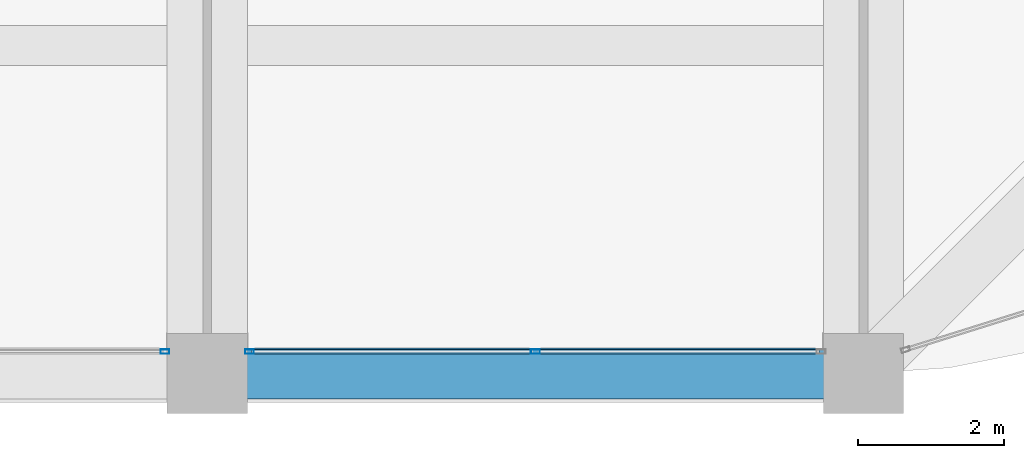
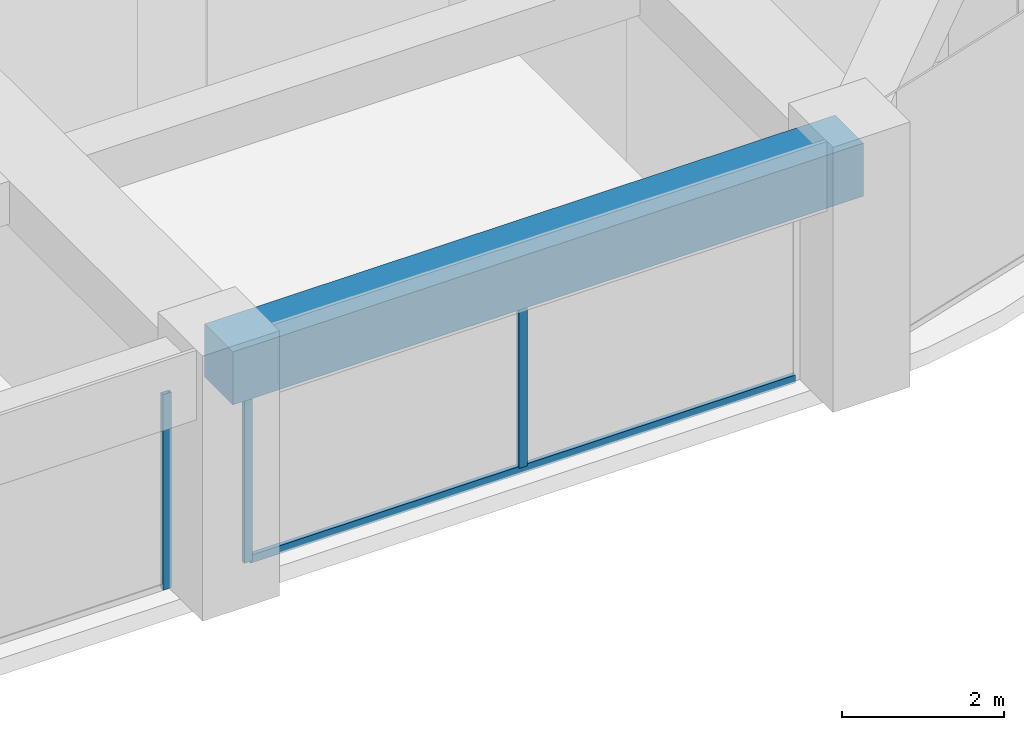
# One storey, part 11 of 45: 4 members, 1 beam, 2 elements without a shape of their own.
"""IFC4 building model written with IfcOpenShell, lengths in metres."""

from ifc_helpers import new_model, si_unit, direction, frame, origin, origin_2d, place, context, subcontext, project, spatial, rectangle, hollow_rectangle, extrude, material, material_profile, profile_set, type_object, element, aggregate, save


model = new_model("IFC4")

# Units and contexts
model_context = context("Model", 3, precision=1e-05, world=origin(), true_north=direction((0.0, 1.0)))
body_context = subcontext(model_context, "Body", "Model", "MODEL_VIEW")
ifc_project = project(units=[si_unit("LENGTHUNIT", "METRE"), si_unit("AREAUNIT", "SQUARE_METRE"), si_unit("VOLUMEUNIT", "CUBIC_METRE"), si_unit("PLANEANGLEUNIT", "RADIAN"), si_unit("MASSUNIT", "GRAM", prefix="KILO")], contexts=[model_context])

# Site, building, storey
site_placement = place(None, origin())
site = spatial("IfcSite", under=ifc_project, at=site_placement, CompositionType="ELEMENT")
building_placement = place(site_placement, origin())
building = spatial("IfcBuilding", under=site, at=building_placement, Name="Zorevar Civic Tower", CompositionType="ELEMENT")
storey_placement = place(building_placement, frame((0.0, 0.0, 279.39990234375)))
storey = spatial("IfcBuildingStorey", under=building, at=storey_placement, Name="L68", CompositionType="ELEMENT", Elevation=279.39990234375)

# Curtain wall, member
ifc_material_1 = material(Name="Dark grey solar-control glass in black aluminium frame", Category="aluminium")
curtain_wall_type = type_object("IfcCurtainWallType", Name="Curtain wall CW5 top zone", PredefinedType="NOTDEFINED", material=ifc_material_1)
curtain_wall_1_placement = place(storey_placement, origin())
curtain_wall_1 = element("IfcCurtainWall", 1, at=curtain_wall_1_placement, inside=storey, type_object=curtain_wall_type, Name="CW5 L68", PredefinedType="NOTDEFINED")
ifc_material_2 = material(Name="Aluminium, black anodised", Category="aluminium")
ifc_material_profile_1 = material_profile(ifc_material_2, hollow_rectangle(XDim=0.06005859375, YDim=0.1201171875, WallThickness=0.0029296875, at=origin_2d()), Name="AL 120x60x3")
ifc_profile_set_1 = profile_set([ifc_material_profile_1], Name="Aluminium, black anodised")
member_type_1 = type_object("IfcMemberType", Name="CW5 mullion AL 120x60x3", PredefinedType="MULLION", material=ifc_profile_set_1)
member_1_placement = place(storey_placement, frame((35.419921875, 0.300048828125, 0.0), z_axis=(0.0, 0.0, 1.0), x_axis=(0.0, 1.0, 0.0)))
member_1 = element("IfcMember", 2, at=member_1_placement, type_object=member_type_1, Name="CW5 mullion 3", PredefinedType="MULLION", context=body_context, shape_type="SweptSolid", body=[
    extrude(hollow_rectangle(XDim=0.06005859375, YDim=0.1201171875, WallThickness=0.0029296875, at=origin_2d()), origin(), (0.0, 0.0, 1.0), 2.9501953125),
])
aggregate(curtain_wall_1, [member_1])

# Curtain wall, members
curtain_wall_2_placement = place(storey_placement, origin())
curtain_wall_2 = element("IfcCurtainWall", 3, at=curtain_wall_2_placement, inside=storey, type_object=curtain_wall_type, Name="CW5 L68", PredefinedType="NOTDEFINED")
member_2_placement = place(storey_placement, frame((36.580078125, 0.300048828125, 0.0), z_axis=(0.0, 0.0, 1.0), x_axis=(0.0, 1.0, 0.0)))
member_2 = element("IfcMember", 4, at=member_2_placement, type_object=member_type_1, Name="CW5 mullion 1", PredefinedType="MULLION", context=body_context, shape_type="SweptSolid", body=[
    extrude(hollow_rectangle(XDim=0.06005859375, YDim=0.1201171875, WallThickness=0.0029296875, at=origin_2d()), origin(), (0.0, 0.0, 1.0), 2.9501953125),
])
member_3_placement = place(storey_placement, frame((40.5, 0.300048828125, 0.06005859375), z_axis=(0.0, 0.0, 1.0), x_axis=(0.0, 1.0, 0.0)))
member_3 = element("IfcMember", 5, at=member_3_placement, type_object=member_type_1, Name="CW5 mullion 2", PredefinedType="MULLION", context=body_context, shape_type="SweptSolid", body=[
    extrude(hollow_rectangle(XDim=0.06005859375, YDim=0.1201171875, WallThickness=0.0029296875, at=origin_2d()), origin(), (0.0, 0.0, 1.0), 2.89013671875),
])
ifc_material_3 = material(Name="Aluminium, black anodised", Category="aluminium")
ifc_material_profile_2 = material_profile(ifc_material_3, hollow_rectangle(XDim=0.06005859375, YDim=0.1201171875, WallThickness=0.0029296875, at=origin_2d()), Name="AL 120x60x3")
ifc_profile_set_2 = profile_set([ifc_material_profile_2], Name="Aluminium, black anodised")
member_type_2 = type_object("IfcMemberType", Name="CW5 transom AL 120x60x3", PredefinedType="USERDEFINED", material=ifc_profile_set_2)
member_4_placement = place(storey_placement, frame((36.610107421875, 0.300048828125, 0.030029296875), z_axis=(1.0, 0.0, 0.0), x_axis=(0.0, 1.0, 0.0)))
member_4 = element("IfcMember", 6, at=member_4_placement, type_object=member_type_2, Name="CW5 sill transom", ObjectType="TRANSOM", PredefinedType="USERDEFINED", context=body_context, shape_type="SweptSolid", body=[
    extrude(hollow_rectangle(XDim=0.06005859375, YDim=0.1201171875, WallThickness=0.0029296875, at=origin_2d()), origin(), (0.0, 0.0, 1.0), 7.77978515625),
])
aggregate(curtain_wall_2, [member_2, member_3, member_4])

# Beam
ifc_material_4 = material(Name="Concrete C50/60", Category="concrete")
ifc_material_profile_3 = material_profile(ifc_material_4, rectangle(XDim=0.699951171875, YDim=0.800048828125, at=origin_2d()), Name="RC 700x800")
ifc_profile_set_3 = profile_set([ifc_material_profile_3], Name="Concrete C50/60")
beam_type = type_object("IfcBeamType", Name="Edge beam RC 700x800", PredefinedType="SPANDREL", material=ifc_profile_set_3)
beam_placement = place(storey_placement, frame((36.0, 0.0, 3.35009765625), z_axis=(1.0, 0.0, 0.0), x_axis=(0.0, 1.0, 0.0)))
element("IfcBeam", 7, at=beam_placement, inside=storey, type_object=beam_type, Name="Edge beam L69", PredefinedType="SPANDREL", context=body_context, shape_type="SweptSolid", body=[
    extrude(rectangle(XDim=0.699951171875, YDim=0.800048828125, at=origin_2d()), origin(), (0.0, 0.0, 1.0), 9.0),
])

save(model, "model.ifc")
